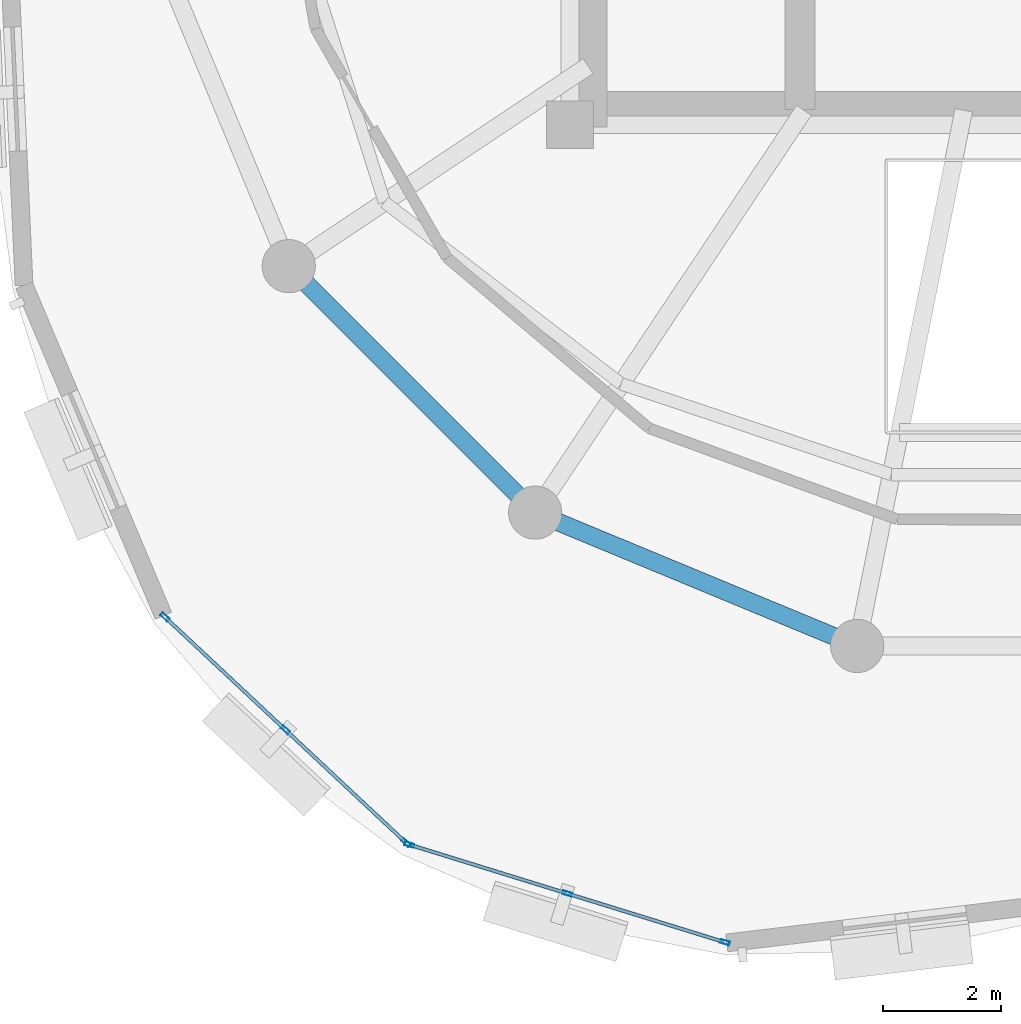
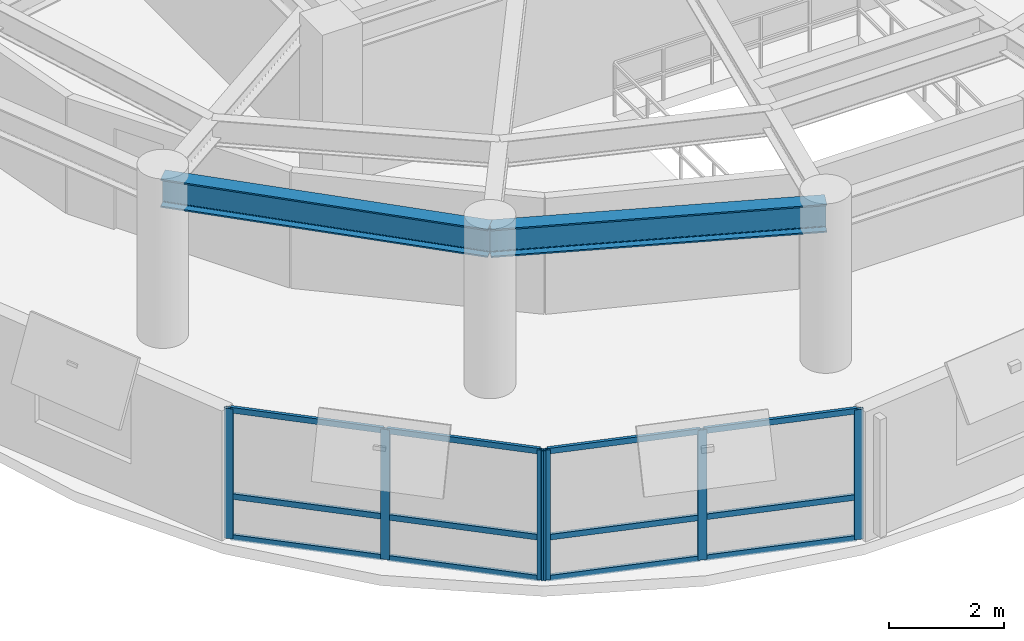
# One storey, part 2 of 11: 18 members, 2 beams, 2 elements without a shape of their own.
"""IFC4 building model written with IfcOpenShell, lengths in metres."""

from ifc_helpers import new_model, si_unit, direction, frame, origin, origin_2d, place, context, subcontext, project, spatial, hollow_rectangle, i_section, extrude, material, layer, layer_set, material_profile, profile_set, type_object, element, aggregate, save


model = new_model("IFC4")

# Units and contexts
model_context = context("Model", 3, precision=1e-05, world=origin(), true_north=direction((0.0, 1.0)))
body_context = subcontext(model_context, "Body", "Model", "MODEL_VIEW")
ifc_project = project(units=[si_unit("LENGTHUNIT", "METRE"), si_unit("AREAUNIT", "SQUARE_METRE"), si_unit("VOLUMEUNIT", "CUBIC_METRE"), si_unit("PLANEANGLEUNIT", "RADIAN"), si_unit("MASSUNIT", "GRAM", prefix="KILO"), si_unit("THERMODYNAMICTEMPERATUREUNIT", "KELVIN"), si_unit("POWERUNIT", "WATT")], contexts=[model_context])

# Site, building, storey
site_placement = place(None, origin())
site = spatial("IfcSite", under=ifc_project, at=site_placement, CompositionType="ELEMENT")
building_placement = place(site_placement, origin())
building = spatial("IfcBuilding", under=site, at=building_placement, Name="Ocrelia Relay Tower", CompositionType="ELEMENT")
storey_placement = place(building_placement, frame((0.0, 0.0, 277.199951171875)))
storey = spatial("IfcBuildingStorey", under=building, at=storey_placement, Name="L69", CompositionType="ELEMENT", Elevation=277.199951171875)

# Beams
ifc_material_1 = material(Name="Steel S355", Category="steel")
ifc_material_profile_1 = material_profile(ifc_material_1, i_section(OverallWidth=0.300048828125, OverallDepth=0.60009765625, WebThickness=0.015380859375, FlangeThickness=0.030029296875, FilletRadius=0.027099609375, at=origin_2d()), Name="HEB 600")
ifc_profile_set_1 = profile_set([ifc_material_profile_1], Name="Steel S355")
beam_type = type_object("IfcBeamType", Name="BM-HEB600", PredefinedType="BEAM", material=ifc_profile_set_1)
beam_1_placement = place(storey_placement, frame((21.44482421875, 17.61083984375, 3.080078125), z_axis=(0.707106781187, -0.707106781187, 0.0), x_axis=(0.707106781187, 0.707106781187, 0.0)))
element("IfcBeam", 1, at=beam_1_placement, inside=storey, type_object=beam_type, Name="L69 Perimeter Spandrel Beam S10", PredefinedType="BEAM", context=body_context, shape_type="SweptSolid", body=[
    extrude(i_section(OverallWidth=0.300048828125, OverallDepth=0.60009765625, WebThickness=0.015380859375, FlangeThickness=0.030029296875, FilletRadius=0.027099609375, at=origin_2d()), origin(), (0.0, 0.0, 1.0), 5.8916015625),
])
beam_2_placement = place(storey_placement, frame((25.61083984375, 13.44482421875, 3.080078125), z_axis=(0.923884009374, -0.382672624084, 0.0), x_axis=(0.382672624084, 0.923884009374, 0.0)))
element("IfcBeam", 2, at=beam_2_placement, inside=storey, type_object=beam_type, Name="L69 Perimeter Spandrel Beam S11", PredefinedType="BEAM", context=body_context, shape_type="SweptSolid", body=[
    extrude(i_section(OverallWidth=0.300048828125, OverallDepth=0.60009765625, WebThickness=0.015380859375, FlangeThickness=0.030029296875, FilletRadius=0.027099609375, at=origin_2d()), origin(), (0.0, 0.0, 1.0), 5.891845703125),
])

# Curtain wall, members
ifc_material_2 = material(Name="Aluminium and solar-control low-E glass", Category="aluminium")
ifc_layer = layer(ifc_material_2, 0.179931640625, Name="Aluminium and solar-control low-E glass")
ifc_layer_set = layer_set([ifc_layer], Name="Aluminium and solar-control low-E glass")
curtain_wall_type = type_object("IfcCurtainWallType", Name="CW-SYS-Z4-EXEC", PredefinedType="NOTDEFINED", material=ifc_layer_set)
curtain_wall_1_placement = place(storey_placement, origin())
curtain_wall_1 = element("IfcCurtainWall", 3, at=curtain_wall_1_placement, inside=storey, type_object=curtain_wall_type, Name="L69 Elliptical Tower Curtain Wall Bay 09", PredefinedType="NOTDEFINED")
ifc_material_3 = material(Name="Anodised bronze aluminium", Category="aluminium")
ifc_material_profile_2 = material_profile(ifc_material_3, hollow_rectangle(XDim=0.06494140625, YDim=0.159912109375, WallThickness=0.0048828125, at=origin_2d()), Name="CW-MUL-160x65")
ifc_profile_set_2 = profile_set([ifc_material_profile_2], Name="Anodised bronze aluminium")
member_type_1 = type_object("IfcMemberType", Name="CW-SYS-Z4-EXEC-MUL", PredefinedType="MULLION", material=ifc_profile_set_2)
member_1_placement = place(storey_placement, frame((19.350830078125, 11.6796875, 0.0), z_axis=(0.0, 0.0, 1.0), x_axis=(0.683313304003, 0.730125282793, 0.0)))
member_1 = element("IfcMember", 4, at=member_1_placement, type_object=member_type_1, Name="CW-Z4 mullion 1", PredefinedType="MULLION", context=body_context, shape_type="SweptSolid", body=[
    extrude(hollow_rectangle(XDim=0.06494140625, YDim=0.159912109375, WallThickness=0.0048828125, at=origin_2d()), origin(), (0.0, 0.0, 1.0), 2.760009765625),
])
member_2_placement = place(storey_placement, frame((21.3896484375, 9.771484375, 0.0), z_axis=(0.0, 0.0, 1.0), x_axis=(0.683313304003, 0.730125282793, 0.0)))
member_2 = element("IfcMember", 5, at=member_2_placement, type_object=member_type_1, Name="CW-Z4 mullion 2", PredefinedType="MULLION", context=body_context, shape_type="SweptSolid", body=[
    extrude(hollow_rectangle(XDim=0.06494140625, YDim=0.159912109375, WallThickness=0.0048828125, at=origin_2d()), origin(), (0.0, 0.0, 1.0), 2.760009765625),
])
member_3_placement = place(storey_placement, frame((23.4287109375, 7.86328125, 0.0), z_axis=(0.0, 0.0, 1.0), x_axis=(0.683313304003, 0.730125282793, 0.0)))
member_3 = element("IfcMember", 6, at=member_3_placement, type_object=member_type_1, Name="CW-Z4 mullion 3", PredefinedType="MULLION", context=body_context, shape_type="SweptSolid", body=[
    extrude(hollow_rectangle(XDim=0.06494140625, YDim=0.159912109375, WallThickness=0.0048828125, at=origin_2d()), origin(), (0.0, 0.0, 1.0), 2.760009765625),
])

curtain_wall_2_placement = place(storey_placement, origin())
curtain_wall_2 = element("IfcCurtainWall", 7, at=curtain_wall_2_placement, inside=storey, type_object=curtain_wall_type, Name="L69 Elliptical Tower Curtain Wall Bay 10", PredefinedType="NOTDEFINED")
member_4_placement = place(storey_placement, frame((23.4833984375, 7.831298828125, 0.0), z_axis=(0.0, 0.0, 1.0), x_axis=(0.295664885419, 0.955291722737, 0.0)))
member_4 = element("IfcMember", 8, at=member_4_placement, type_object=member_type_1, Name="CW-Z4 mullion 1", PredefinedType="MULLION", context=body_context, shape_type="SweptSolid", body=[
    extrude(hollow_rectangle(XDim=0.06494140625, YDim=0.159912109375, WallThickness=0.0048828125, at=origin_2d()), origin(), (0.0, 0.0, 1.0), 2.760009765625),
])
member_5_placement = place(storey_placement, frame((26.1513671875, 7.005615234375, 0.0), z_axis=(0.0, 0.0, 1.0), x_axis=(0.295664885419, 0.955291722737, 0.0)))
member_5 = element("IfcMember", 9, at=member_5_placement, type_object=member_type_1, Name="CW-Z4 mullion 2", PredefinedType="MULLION", context=body_context, shape_type="SweptSolid", body=[
    extrude(hollow_rectangle(XDim=0.06494140625, YDim=0.159912109375, WallThickness=0.0048828125, at=origin_2d()), origin(), (0.0, 0.0, 1.0), 2.760009765625),
])
member_6_placement = place(storey_placement, frame((28.819091796875, 6.179931640625, 0.0), z_axis=(0.0, 0.0, 1.0), x_axis=(0.295664885419, 0.955291722737, 0.0)))
member_6 = element("IfcMember", 10, at=member_6_placement, type_object=member_type_1, Name="CW-Z4 mullion 3", PredefinedType="MULLION", context=body_context, shape_type="SweptSolid", body=[
    extrude(hollow_rectangle(XDim=0.06494140625, YDim=0.159912109375, WallThickness=0.0048828125, at=origin_2d()), origin(), (0.0, 0.0, 1.0), 2.760009765625),
])

# Member
ifc_material_profile_3 = material_profile(ifc_material_3, hollow_rectangle(XDim=0.06005859375, YDim=0.1201171875, WallThickness=0.0048828125, at=origin_2d()), Name="CW-TRN-120x60")
ifc_profile_set_3 = profile_set([ifc_material_profile_3], Name="Anodised bronze aluminium")
member_type_2 = type_object("IfcMemberType", Name="CW-SYS-Z4-EXEC-TRN", PredefinedType="USERDEFINED", material=ifc_profile_set_3)
member_7_placement = place(storey_placement, frame((19.37451171875, 11.657470703125, 0.030029296875), z_axis=(0.730125907381, -0.683312636625, 0.0), x_axis=(0.683312636625, 0.730125907381, 0.0)))
member_7 = element("IfcMember", 11, at=member_7_placement, type_object=member_type_2, Name="CW-Z4 transom 1.1", ObjectType="TRANSOM", PredefinedType="USERDEFINED", context=body_context, shape_type="SweptSolid", body=[
    extrude(hollow_rectangle(XDim=0.06005859375, YDim=0.1201171875, WallThickness=0.0048828125, at=origin_2d()), origin(), (0.0, 0.0, 1.0), 2.7275390625),
])

member_8_placement = place(storey_placement, frame((19.37451171875, 11.657470703125, 0.900146484375), z_axis=(0.730125907381, -0.683312636625, 0.0), x_axis=(0.683312636625, 0.730125907381, 0.0)))
member_8 = element("IfcMember", 12, at=member_8_placement, type_object=member_type_2, Name="CW-Z4 transom 1.2", ObjectType="TRANSOM", PredefinedType="USERDEFINED", context=body_context, shape_type="SweptSolid", body=[
    extrude(hollow_rectangle(XDim=0.06005859375, YDim=0.1201171875, WallThickness=0.0048828125, at=origin_2d()), origin(), (0.0, 0.0, 1.0), 2.7275390625),
])

member_9_placement = place(storey_placement, frame((19.37451171875, 11.657470703125, 2.72998046875), z_axis=(0.730125907381, -0.683312636625, 0.0), x_axis=(0.683312636625, 0.730125907381, 0.0)))
member_9 = element("IfcMember", 13, at=member_9_placement, type_object=member_type_2, Name="CW-Z4 transom 1.3", ObjectType="TRANSOM", PredefinedType="USERDEFINED", context=body_context, shape_type="SweptSolid", body=[
    extrude(hollow_rectangle(XDim=0.06005859375, YDim=0.1201171875, WallThickness=0.0048828125, at=origin_2d()), origin(), (0.0, 0.0, 1.0), 2.7275390625),
])

member_10_placement = place(storey_placement, frame((21.413330078125, 9.749267578125, 0.030029296875), z_axis=(0.73016769654, -0.683267981783, 0.0), x_axis=(0.683267981783, 0.73016769654, 0.0)))
member_10 = element("IfcMember", 14, at=member_10_placement, type_object=member_type_2, Name="CW-Z4 transom 2.1", ObjectType="TRANSOM", PredefinedType="USERDEFINED", context=body_context, shape_type="SweptSolid", body=[
    extrude(hollow_rectangle(XDim=0.06005859375, YDim=0.1201171875, WallThickness=0.0048828125, at=origin_2d()), origin(), (0.0, 0.0, 1.0), 2.727783203125),
])

member_11_placement = place(storey_placement, frame((21.413330078125, 9.749267578125, 0.900146484375), z_axis=(0.73016769654, -0.683267981783, 0.0), x_axis=(0.683267981783, 0.73016769654, 0.0)))
member_11 = element("IfcMember", 15, at=member_11_placement, type_object=member_type_2, Name="CW-Z4 transom 2.2", ObjectType="TRANSOM", PredefinedType="USERDEFINED", context=body_context, shape_type="SweptSolid", body=[
    extrude(hollow_rectangle(XDim=0.06005859375, YDim=0.1201171875, WallThickness=0.0048828125, at=origin_2d()), origin(), (0.0, 0.0, 1.0), 2.727783203125),
])

member_12_placement = place(storey_placement, frame((21.413330078125, 9.749267578125, 2.72998046875), z_axis=(0.73016769654, -0.683267981783, 0.0), x_axis=(0.683267981783, 0.73016769654, 0.0)))
member_12 = element("IfcMember", 16, at=member_12_placement, type_object=member_type_2, Name="CW-Z4 transom 2.3", ObjectType="TRANSOM", PredefinedType="USERDEFINED", context=body_context, shape_type="SweptSolid", body=[
    extrude(hollow_rectangle(XDim=0.06005859375, YDim=0.1201171875, WallThickness=0.0048828125, at=origin_2d()), origin(), (0.0, 0.0, 1.0), 2.727783203125),
])

aggregate(curtain_wall_1, [member_1, member_2, member_3, member_7, member_8, member_9, member_10, member_11, member_12])

member_13_placement = place(storey_placement, frame((23.514404296875, 7.82177734375, 0.030029296875), z_axis=(0.955299734629, -0.295638997796, 0.0), x_axis=(0.295638997796, 0.955299734629, 0.0)))
member_13 = element("IfcMember", 17, at=member_13_placement, type_object=member_type_2, Name="CW-Z4 transom 1.1", ObjectType="TRANSOM", PredefinedType="USERDEFINED", context=body_context, shape_type="SweptSolid", body=[
    extrude(hollow_rectangle(XDim=0.06005859375, YDim=0.1201171875, WallThickness=0.0048828125, at=origin_2d()), origin(), (0.0, 0.0, 1.0), 2.7275390625),
])

member_14_placement = place(storey_placement, frame((23.514404296875, 7.82177734375, 0.900146484375), z_axis=(0.955299734629, -0.295638997796, 0.0), x_axis=(0.295638997796, 0.955299734629, 0.0)))
member_14 = element("IfcMember", 18, at=member_14_placement, type_object=member_type_2, Name="CW-Z4 transom 1.2", ObjectType="TRANSOM", PredefinedType="USERDEFINED", context=body_context, shape_type="SweptSolid", body=[
    extrude(hollow_rectangle(XDim=0.06005859375, YDim=0.1201171875, WallThickness=0.0048828125, at=origin_2d()), origin(), (0.0, 0.0, 1.0), 2.7275390625),
])

member_15_placement = place(storey_placement, frame((23.514404296875, 7.82177734375, 2.72998046875), z_axis=(0.955299734629, -0.295638997796, 0.0), x_axis=(0.295638997796, 0.955299734629, 0.0)))
member_15 = element("IfcMember", 19, at=member_15_placement, type_object=member_type_2, Name="CW-Z4 transom 1.3", ObjectType="TRANSOM", PredefinedType="USERDEFINED", context=body_context, shape_type="SweptSolid", body=[
    extrude(hollow_rectangle(XDim=0.06005859375, YDim=0.1201171875, WallThickness=0.0048828125, at=origin_2d()), origin(), (0.0, 0.0, 1.0), 2.7275390625),
])

member_16_placement = place(storey_placement, frame((26.182373046875, 6.99609375, 0.030029296875), z_axis=(0.955299734629, -0.295638997796, 0.0), x_axis=(0.295638997796, 0.955299734629, 0.0)))
member_16 = element("IfcMember", 20, at=member_16_placement, type_object=member_type_2, Name="CW-Z4 transom 2.1", ObjectType="TRANSOM", PredefinedType="USERDEFINED", context=body_context, shape_type="SweptSolid", body=[
    extrude(hollow_rectangle(XDim=0.06005859375, YDim=0.1201171875, WallThickness=0.0048828125, at=origin_2d()), origin(), (0.0, 0.0, 1.0), 2.7275390625),
])

member_17_placement = place(storey_placement, frame((26.182373046875, 6.99609375, 0.900146484375), z_axis=(0.955299734629, -0.295638997796, 0.0), x_axis=(0.295638997796, 0.955299734629, 0.0)))
member_17 = element("IfcMember", 21, at=member_17_placement, type_object=member_type_2, Name="CW-Z4 transom 2.2", ObjectType="TRANSOM", PredefinedType="USERDEFINED", context=body_context, shape_type="SweptSolid", body=[
    extrude(hollow_rectangle(XDim=0.06005859375, YDim=0.1201171875, WallThickness=0.0048828125, at=origin_2d()), origin(), (0.0, 0.0, 1.0), 2.7275390625),
])

member_18_placement = place(storey_placement, frame((26.182373046875, 6.99609375, 2.72998046875), z_axis=(0.955299734629, -0.295638997796, 0.0), x_axis=(0.295638997796, 0.955299734629, 0.0)))
member_18 = element("IfcMember", 22, at=member_18_placement, type_object=member_type_2, Name="CW-Z4 transom 2.3", ObjectType="TRANSOM", PredefinedType="USERDEFINED", context=body_context, shape_type="SweptSolid", body=[
    extrude(hollow_rectangle(XDim=0.06005859375, YDim=0.1201171875, WallThickness=0.0048828125, at=origin_2d()), origin(), (0.0, 0.0, 1.0), 2.7275390625),
])

aggregate(curtain_wall_2, [member_4, member_5, member_6, member_13, member_14, member_15, member_16, member_17, member_18])

save(model, "model.ifc")
